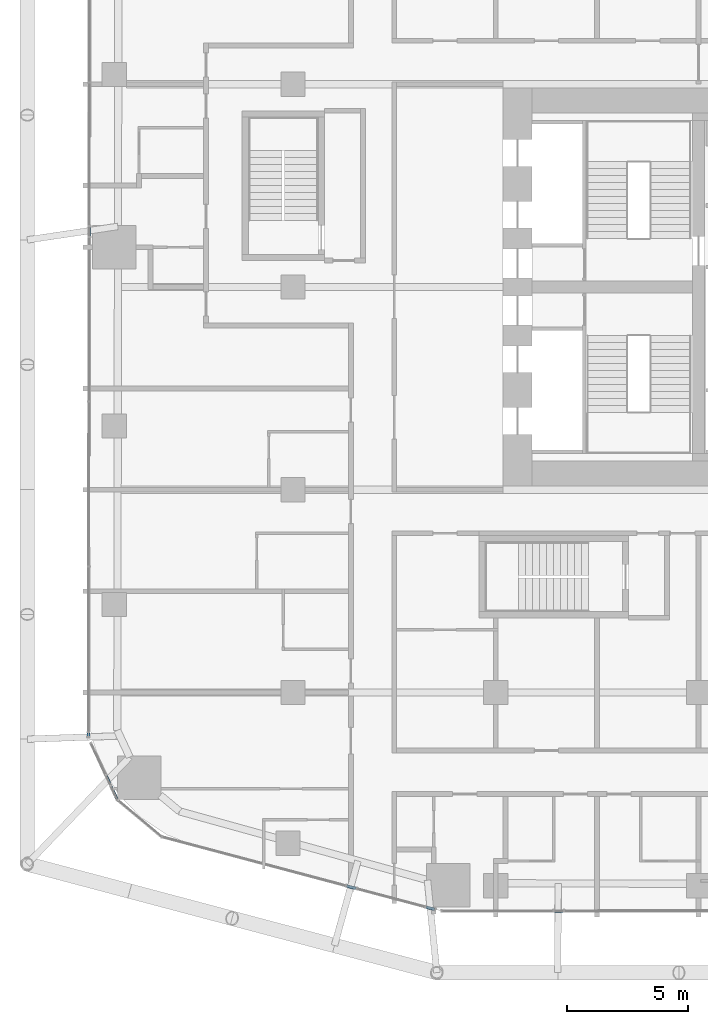
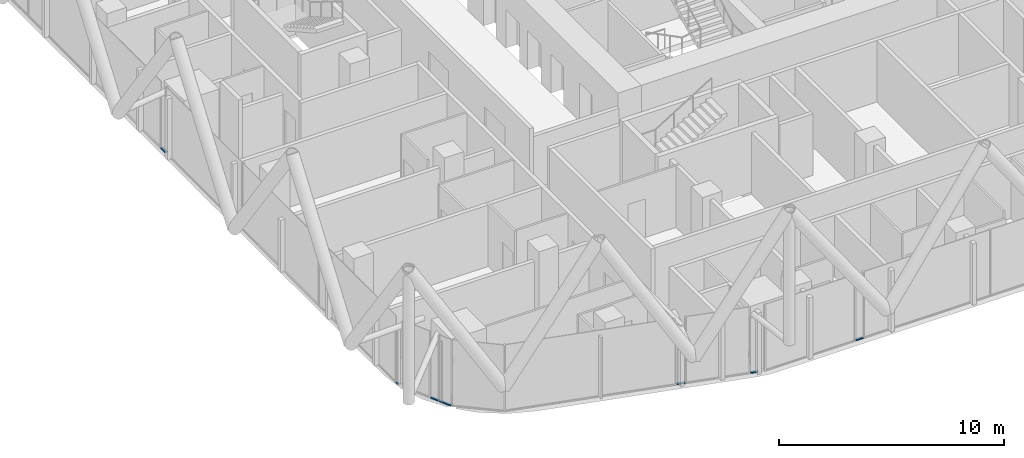
# One storey, part 16 of 38: 7 members, 7 elements without a shape of their own.
"""IFC4 building model written with IfcOpenShell, lengths in metres."""

from ifc_helpers import new_model, si_unit, direction, frame, origin, origin_2d, place, context, subcontext, project, spatial, rectangle, extrude, material, layer, layer_set, material_profile, profile_set, type_object, element, aggregate, save


model = new_model("IFC4")

# Units and contexts
model_context = context("Model", 3, precision=1e-05, world=origin(), true_north=direction((0.0, 1.0)))
body_context = subcontext(model_context, "Body", "Model", "MODEL_VIEW")
ifc_project = project(units=[si_unit("LENGTHUNIT", "METRE"), si_unit("AREAUNIT", "SQUARE_METRE"), si_unit("VOLUMEUNIT", "CUBIC_METRE"), si_unit("PLANEANGLEUNIT", "RADIAN"), si_unit("MASSUNIT", "GRAM", prefix="KILO")], contexts=[model_context])

# Site, building, storey
site_placement = place(None, origin())
site = spatial("IfcSite", under=ifc_project, at=site_placement, CompositionType="ELEMENT")
building_placement = place(site_placement, origin())
building = spatial("IfcBuilding", under=site, at=building_placement, Name="Marenta Gate Hotel Tower", CompositionType="ELEMENT")
storey_placement = place(building_placement, frame((0.0, 0.0, 54.5)))
storey = spatial("IfcBuildingStorey", under=building, at=storey_placement, Name="L11", CompositionType="ELEMENT", Elevation=54.5)

# Curtain wall, member
ifc_material_1 = material(Name="Tinted insulated glass in bronze anodised frame", Category="glass")
ifc_layer = layer(ifc_material_1, 0.1201171875)
ifc_layer_set = layer_set([ifc_layer], Name="Tinted insulated glass in bronze anodised frame")
curtain_wall_type = type_object("IfcCurtainWallType", Name="Tower unitised curtain wall CW1", PredefinedType="NOTDEFINED", material=ifc_layer_set)
curtain_wall_1_placement = place(storey_placement, origin())
curtain_wall_1 = element("IfcCurtainWall", 1, at=curtain_wall_1_placement, inside=storey, type_object=curtain_wall_type, Name="CW1 run G07", PredefinedType="NOTDEFINED")
ifc_material_2 = material(Name="Bronze anodised aluminium", Category="aluminium")
ifc_material_profile = material_profile(ifc_material_2, rectangle(XDim=0.1201171875, YDim=0.06005859375, at=origin_2d()), Name="Transom CW1 60x120 bronze anodised aluminium")
ifc_profile_set = profile_set([ifc_material_profile], Name="Bronze anodised aluminium")
member_type = type_object("IfcMemberType", Name="Transom CW1 60x120 bronze anodised aluminium", PredefinedType="USERDEFINED", material=ifc_profile_set)
member_1_placement = place(storey_placement, frame((-29.440185546875, 10.90087890625, 0.030029296875), z_axis=(-0.001839359243, -0.999998308377, 0.0), x_axis=(0.999998308377, -0.001839359243, 0.0)))
member_1 = element("IfcMember", 2, at=member_1_placement, type_object=member_type, Name="CW1 transom 1.1", ObjectType="TRANSOM", PredefinedType="USERDEFINED", context=body_context, shape_type="SweptSolid", body=[
    extrude(rectangle(XDim=0.1201171875, YDim=0.06005859375, at=origin_2d()), origin(), (0.0, 0.0, 1.0), 0.398193359375),
])
aggregate(curtain_wall_1, [member_1])

curtain_wall_2_placement = place(storey_placement, origin())
curtain_wall_2 = element("IfcCurtainWall", 3, at=curtain_wall_2_placement, inside=storey, type_object=curtain_wall_type, Name="CW1 run G09", PredefinedType="NOTDEFINED")
member_2_placement = place(storey_placement, frame((-29.472900390625, -10.073486328125, 0.030029296875), z_axis=(-0.001712326257, -0.999998533968, 0.0), x_axis=(0.999998533968, -0.001712326257, 0.0)))
member_2 = element("IfcMember", 4, at=member_2_placement, type_object=member_type, Name="CW1 transom 1.1", ObjectType="TRANSOM", PredefinedType="USERDEFINED", context=body_context, shape_type="SweptSolid", body=[
    extrude(rectangle(XDim=0.1201171875, YDim=0.06005859375, at=origin_2d()), origin(), (0.0, 0.0, 1.0), 0.142578125),
])
aggregate(curtain_wall_2, [member_2])

curtain_wall_3_placement = place(storey_placement, origin())
curtain_wall_3 = element("IfcCurtainWall", 5, at=curtain_wall_3_placement, inside=storey, type_object=curtain_wall_type, Name="CW1 run G11", PredefinedType="NOTDEFINED")
member_3_placement = place(storey_placement, frame((-28.739501953125, -11.84619140625, 0.030029296875), z_axis=(0.422979592387, -0.906139208082, 0.0), x_axis=(0.906139208082, 0.422979592387, 0.0)))
member_3 = element("IfcMember", 6, at=member_3_placement, type_object=member_type, Name="CW1 transom 1.1", ObjectType="TRANSOM", PredefinedType="USERDEFINED", context=body_context, shape_type="SweptSolid", body=[
    extrude(rectangle(XDim=0.1201171875, YDim=0.06005859375, at=origin_2d()), origin(), (0.0, 0.0, 1.0), 0.426025390625),
])
aggregate(curtain_wall_3, [member_3])

curtain_wall_4_placement = place(storey_placement, origin())
curtain_wall_4 = element("IfcCurtainWall", 7, at=curtain_wall_4_placement, inside=storey, type_object=curtain_wall_type, Name="CW1 run G12", PredefinedType="NOTDEFINED")
member_4_placement = place(storey_placement, frame((-28.533935546875, -12.286376953125, 0.030029296875), z_axis=(0.423321437663, -0.905979558497, 0.0), x_axis=(0.905979558497, 0.423321437663, 0.0)))
member_4 = element("IfcMember", 8, at=member_4_placement, type_object=member_type, Name="CW1 transom 1.1", ObjectType="TRANSOM", PredefinedType="USERDEFINED", context=body_context, shape_type="SweptSolid", body=[
    extrude(rectangle(XDim=0.1201171875, YDim=0.06005859375, at=origin_2d()), origin(), (0.0, 0.0, 1.0), 0.613037109375),
])
aggregate(curtain_wall_4, [member_4])

curtain_wall_5_placement = place(storey_placement, origin())
curtain_wall_5 = element("IfcCurtainWall", 9, at=curtain_wall_5_placement, inside=storey, type_object=curtain_wall_type, Name="CW1 run G15", PredefinedType="NOTDEFINED")
member_5_placement = place(storey_placement, frame((-18.7685546875, -16.41064453125, 0.030029296875), z_axis=(0.966379102199, -0.257121432076, 0.0), x_axis=(0.257121432076, 0.966379102199, 0.0)))
member_5 = element("IfcMember", 10, at=member_5_placement, type_object=member_type, Name="CW1 transom 1.1", ObjectType="TRANSOM", PredefinedType="USERDEFINED", context=body_context, shape_type="SweptSolid", body=[
    extrude(rectangle(XDim=0.1201171875, YDim=0.06005859375, at=origin_2d()), origin(), (0.0, 0.0, 1.0), 0.39306640625),
])
aggregate(curtain_wall_5, [member_5])

curtain_wall_6_placement = place(storey_placement, origin())
curtain_wall_6 = element("IfcCurtainWall", 11, at=curtain_wall_6_placement, inside=storey, type_object=curtain_wall_type, Name="CW1 run G17", PredefinedType="NOTDEFINED")
member_6_placement = place(storey_placement, frame((-15.485595703125, -17.2841796875, 0.030029296875), z_axis=(0.96644611401, -0.256869439046, 0.0), x_axis=(0.256869439046, 0.96644611401, 0.0)))
member_6 = element("IfcMember", 12, at=member_6_placement, type_object=member_type, Name="CW1 transom 1.1", ObjectType="TRANSOM", PredefinedType="USERDEFINED", context=body_context, shape_type="SweptSolid", body=[
    extrude(rectangle(XDim=0.1201171875, YDim=0.06005859375, at=origin_2d()), origin(), (0.0, 0.0, 1.0), 0.364013671875),
])
aggregate(curtain_wall_6, [member_6])

curtain_wall_7_placement = place(storey_placement, origin())
curtain_wall_7 = element("IfcCurtainWall", 13, at=curtain_wall_7_placement, inside=storey, type_object=curtain_wall_type, Name="CW1 run G19", PredefinedType="NOTDEFINED")
member_7_placement = place(storey_placement, frame((-10.185546875, -17.4423828125, 0.030029296875), z_axis=(0.999999228426, 0.001242235066, 0.0), x_axis=(-0.001242235066, 0.999999228426, 0.0)))
member_7 = element("IfcMember", 14, at=member_7_placement, type_object=member_type, Name="CW1 transom 1.1", ObjectType="TRANSOM", PredefinedType="USERDEFINED", context=body_context, shape_type="SweptSolid", body=[
    extrude(rectangle(XDim=0.1201171875, YDim=0.06005859375, at=origin_2d()), origin(), (0.0, 0.0, 1.0), 0.39306640625),
])
aggregate(curtain_wall_7, [member_7])

save(model, "model.ifc")
